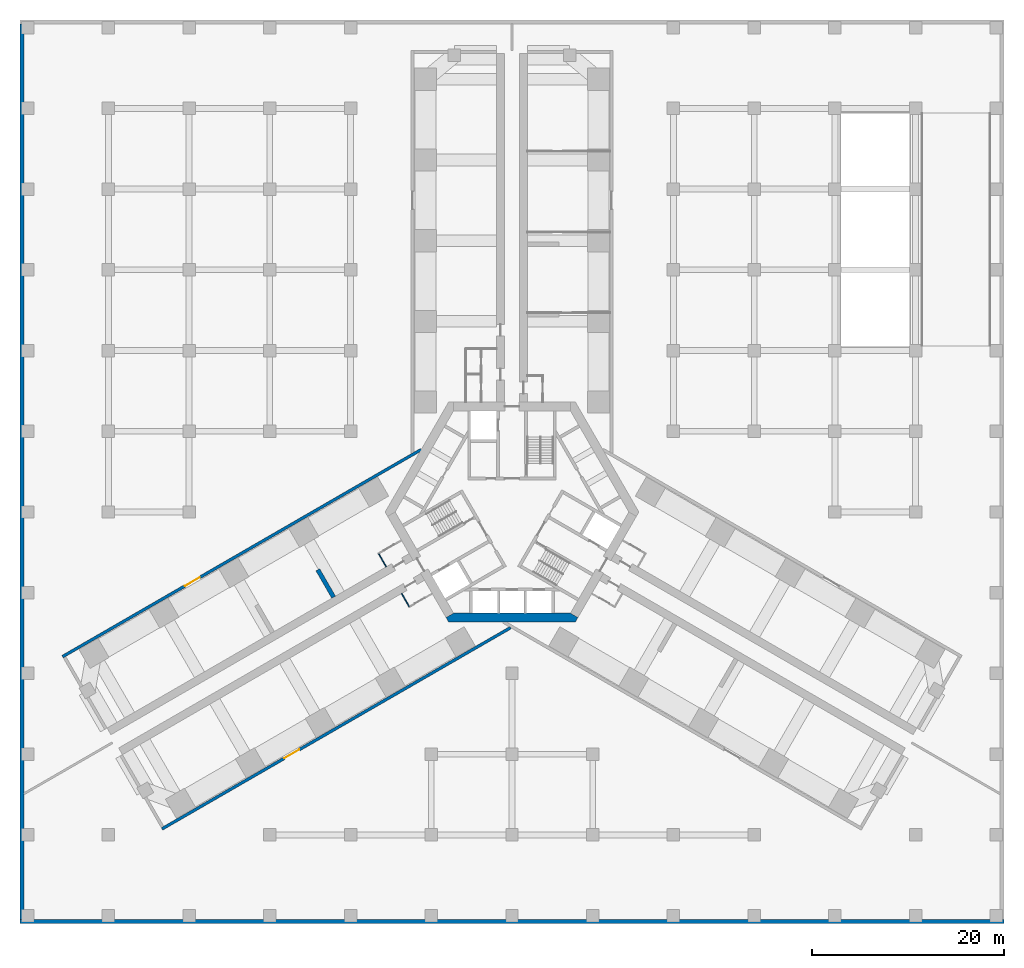
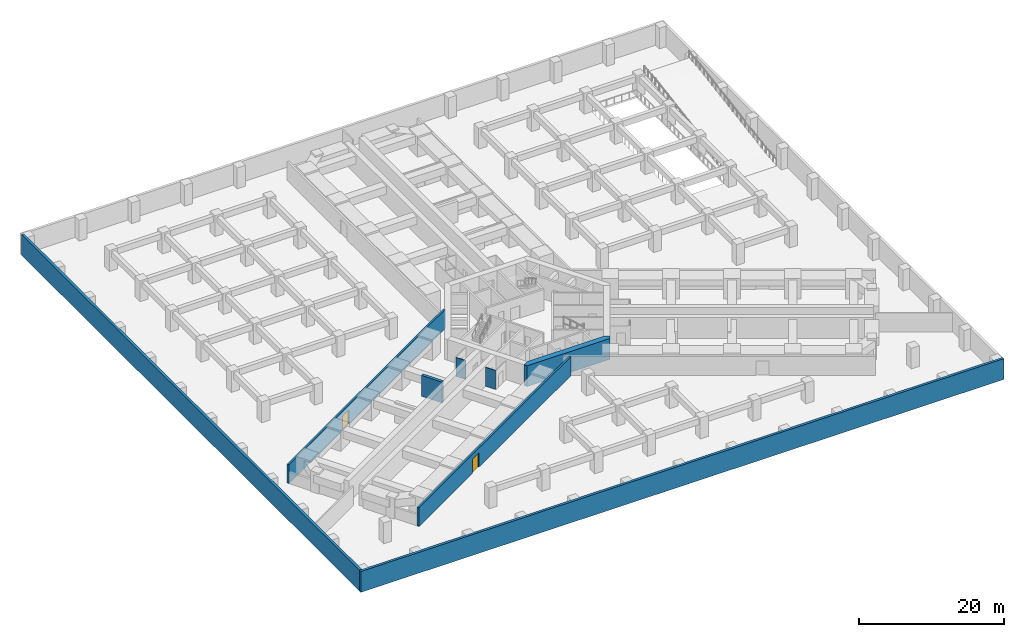
# One storey, part 5 of 11: 8 walls, 2 doors, 2 openings.
"""IFC4 building model written with IfcOpenShell, lengths in metres."""

from ifc_helpers import new_model, si_unit, direction, frame, frame_2d, origin, place, context, subcontext, project, spatial, polyline, rectangle, outline, extrude, material, layer, layer_set, type_object, element, fill, save


model = new_model("IFC4")

# Units and contexts
model_context = context("Model", 3, precision=1e-05, world=origin(), true_north=direction((0.0, 1.0)))
body_context = subcontext(model_context, "Body", "Model", "MODEL_VIEW")
ifc_project = project(units=[si_unit("LENGTHUNIT", "METRE"), si_unit("AREAUNIT", "SQUARE_METRE"), si_unit("VOLUMEUNIT", "CUBIC_METRE"), si_unit("PLANEANGLEUNIT", "RADIAN"), si_unit("MASSUNIT", "GRAM", prefix="KILO")], contexts=[model_context])

# Site, building, storey
site_placement = place(None, origin())
site = spatial("IfcSite", under=ifc_project, at=site_placement, CompositionType="ELEMENT")
building_placement = place(site_placement, origin())
building = spatial("IfcBuilding", under=site, at=building_placement, Name="Impinga Residences", CompositionType="ELEMENT")
storey_placement = place(building_placement, frame((0.0, 0.0, -7.0)))
storey = spatial("IfcBuildingStorey", under=building, at=storey_placement, Name="B2", CompositionType="ELEMENT", Elevation=-7.0)

# Walls
ifc_material_1 = material(Name="Concrete blockwork", Category="masonry")
ifc_layer_1 = layer(ifc_material_1, 0.10009765625)
ifc_layer_set_1 = layer_set([ifc_layer_1], Name="CP1 core room partition, blockwork 100")
wall_type_1 = type_object("IfcWallType", Name="CP1 core room partition, blockwork 100", PredefinedType="PARTITIONING", material=ifc_layer_set_1)
wall_1_placement = place(storey_placement, frame((-11.481689453125, -8.476318359375, 0.0), z_axis=(0.0, 0.0, 1.0), x_axis=(0.500017819788, -0.86601511528, 0.0)))
element("IfcWall", 1, at=wall_1_placement, inside=storey, type_object=wall_type_1, Name="Core room partition, blockwork B2-WA1:L2", PredefinedType="PARTITIONING", context=body_context, shape_type="SweptSolid", body=[
    extrude(rectangle(XDim=1.55029296875, YDim=0.10009765625, at=frame_2d((0.775146484375, 0.0))), origin(), (0.0, 0.0, 1.0), 3.199951171875),
])
wall_2_placement = place(storey_placement, frame((-13.08154296875, -5.705078125, 0.0), z_axis=(0.0, 0.0, 1.0), x_axis=(-0.500086022567, 0.865975732936, 0.0)))
element("IfcWall", 2, at=wall_2_placement, inside=storey, type_object=wall_type_1, Name="Core room partition, blockwork B2-WF1:L2", PredefinedType="PARTITIONING", context=body_context, shape_type="SweptSolid", body=[
    extrude(rectangle(XDim=1.550048828125, YDim=0.10009765625, at=frame_2d((0.77490234375, 0.0))), origin(), (0.0, 0.0, 1.0), 3.199951171875),
])

# Wall, opening, door
ifc_layer_2 = layer(ifc_material_1, 0.300048828125)
ifc_layer_set_2 = layer_set([ifc_layer_2], Name="PW3 podium wall on the wing face 300")
wall_type_2 = type_object("IfcWallType", Name="PW3 podium wall on the wing face 300", PredefinedType="SOLIDWALL", material=ifc_layer_set_2)
wall_3_placement = place(storey_placement, frame((-0.14990234375, -12.037841796875, 0.0), z_axis=(0.0, 0.0, 1.0), x_axis=(-0.866026292622, -0.499998460486, 0.0)))
wall_3 = element("IfcWall", 3, at=wall_3_placement, inside=storey, type_object=wall_type_2, Name="Podium wall on the wing face B2:SIDE:WA0", PredefinedType="SOLIDWALL", context=body_context, shape_type="SweptSolid", body=[
    extrude(rectangle(XDim=41.883056640625, YDim=0.300048828125, at=frame_2d((20.94140625, 0.0))), origin(), (0.0, 0.0, 1.0), 3.199951171875),
])
opening_1_placement = place(wall_3_placement, frame((25.3828125, 0.0, 0.0)))
opening_1 = element("IfcOpeningElement", 4, at=opening_1_placement, cuts=wall_3, Name="Opening D7", PredefinedType="OPENING", context=body_context, shape_type="SweptSolid", body=[
    extrude(rectangle(XDim=1.800048828125, YDim=2.39990234375, at=frame_2d((0.89990234375, 1.199951171875))), frame((0.0, 0.159912109375, 0.0), z_axis=(0.0, -1.0, 0.0), x_axis=(1.0, 0.0, 0.0)), (0.0, 0.0, 1.0), 0.320068359375),
])
ifc_material_2 = material(Name="Timber door set", Category="wood")
door_type = type_object("IfcDoorType", Name="D7 podium door pair 1800x2400", OperationType="DOUBLE_DOOR_DOUBLE_SWING", PredefinedType="DOOR", material=ifc_material_2)
door_1_placement = place(opening_1_placement, origin())
door_1 = element("IfcDoor", 5, at=door_1_placement, inside=storey, type_object=door_type, Name="Double door WA", OperationType="DOUBLE_DOOR_DOUBLE_SWING", OverallHeight=2.39990234375, OverallWidth=1.800048828125, PredefinedType="DOOR", context=body_context, shape_type="SweptSolid", body=[
    extrude(rectangle(XDim=1.800048828125, YDim=2.39990234375, at=frame_2d((0.89990234375, 1.199951171875))), frame((0.0, 0.02490234375, 0.0), z_axis=(0.0, -1.0, 0.0), x_axis=(1.0, 0.0, 0.0)), (0.0, 0.0, 1.0), 0.050048828125),
])
fill(opening_1, door_1)

wall_4_placement = place(storey_placement, frame((-9.449951171875, 6.4951171875, 0.0), z_axis=(0.0, 0.0, 1.0), x_axis=(-0.866025301493, -0.500000177174, 0.0)))
wall_4 = element("IfcWall", 6, at=wall_4_placement, inside=storey, type_object=wall_type_2, Name="Podium wall on the wing face B2:SIDE:WF0", PredefinedType="SOLIDWALL", context=body_context, shape_type="SweptSolid", body=[
    extrude(rectangle(XDim=43.09521484375, YDim=0.300048828125, at=frame_2d((21.547607421875, 0.0))), origin(), (0.0, 0.0, 1.0), 3.199951171875),
])
opening_2_placement = place(wall_4_placement, frame((26.59521484375, 0.0, 0.0)))
opening_2 = element("IfcOpeningElement", 7, at=opening_2_placement, cuts=wall_4, Name="Opening D7", PredefinedType="OPENING", context=body_context, shape_type="SweptSolid", body=[
    extrude(rectangle(XDim=1.800048828125, YDim=2.39990234375, at=frame_2d((0.89990234375, 1.199951171875))), frame((0.0, 0.159912109375, 0.0), z_axis=(0.0, -1.0, 0.0), x_axis=(1.0, 0.0, 0.0)), (0.0, 0.0, 1.0), 0.320068359375),
])
door_2_placement = place(opening_2_placement, origin())
door_2 = element("IfcDoor", 8, at=door_2_placement, inside=storey, type_object=door_type, Name="Double door WF", OperationType="DOUBLE_DOOR_DOUBLE_SWING", OverallHeight=2.39990234375, OverallWidth=1.800048828125, PredefinedType="DOOR", context=body_context, shape_type="SweptSolid", body=[
    extrude(rectangle(XDim=1.800048828125, YDim=2.39990234375, at=frame_2d((0.89990234375, 1.199951171875))), frame((0.0, 0.02490234375, 0.0), z_axis=(0.0, -1.0, 0.0), x_axis=(1.0, 0.0, 0.0)), (0.0, 0.0, 1.0), 0.050048828125),
])
fill(opening_2, door_2)

# Walls
ifc_material_3 = material(Name="Concrete C60/75", Category="concrete")
ifc_layer_3 = layer(ifc_material_3, 0.39990234375)
ifc_layer_set_3 = layer_set([ifc_layer_3], Name="Concrete C60/75")
wall_type_3 = type_object("IfcWallType", Name="RW1 basement retaining wall 400", PredefinedType="USERDEFINED", material=ifc_layer_set_3)
wall_5_placement = place(storey_placement, frame((-51.199951171875, -42.60009765625, 0.0), z_axis=(0.0, 0.0, 1.0), x_axis=(1.0, 0.0, 0.0)))
element("IfcWall", 9, at=wall_5_placement, inside=storey, type_object=wall_type_3, Name="Retaining wall RW1 S B2", ObjectType="RETAINING WALL", PredefinedType="USERDEFINED", context=body_context, shape_type="SweptSolid", body=[
    extrude(rectangle(XDim=102.39990234375, YDim=0.39990234375, at=frame_2d((51.199951171875, 0.0))), origin(), (0.0, 0.0, 1.0), 3.5),
])
wall_6_placement = place(storey_placement, frame((-51.0, -42.39990234375, 0.0), z_axis=(0.0, 0.0, 1.0), x_axis=(0.0, 1.0, 0.0)))
element("IfcWall", 10, at=wall_6_placement, inside=storey, type_object=wall_type_3, Name="Retaining wall RW1 W B2", ObjectType="RETAINING WALL", PredefinedType="USERDEFINED", context=body_context, shape_type="SweptSolid", body=[
    extrude(rectangle(XDim=93.199951171875, YDim=0.39990234375, at=frame_2d((46.60009765625, 0.0))), origin(), (0.0, 0.0, 1.0), 3.5),
])
ifc_layer_4 = layer(ifc_material_3, 0.449951171875)
ifc_layer_set_4 = layer_set([ifc_layer_4], Name="Concrete C60/75")
wall_type_4 = type_object("IfcWallType", Name="SE3 wing stair end wall carried down to the raft, basements 450", PredefinedType="SOLIDWALL", material=ifc_layer_set_4)
wall_7_placement = place(storey_placement, frame((-18.55908203125, -8.86767578125, 0.0), z_axis=(0.0, 0.0, 1.0), x_axis=(-0.50002983664, 0.866008176907, 0.0)))
element("IfcWall", 11, at=wall_7_placement, inside=storey, type_object=wall_type_4, Name="Stair enclosure wall SE3 W END0 B2", PredefinedType="SOLIDWALL", context=body_context, shape_type="SweptSolid", body=[
    extrude(rectangle(XDim=3.300048828125, YDim=0.449951171875, at=frame_2d((1.64990234375, 0.0))), origin(), (0.0, 0.0, 1.0), 3.5),
])
ifc_material_4 = material(Name="Concrete C70/85", Category="concrete")
ifc_layer_5 = layer(ifc_material_4, 0.89990234375)
ifc_layer_set_5 = layer_set([ifc_layer_5], Name="Concrete C70/85")
wall_type_5 = type_object("IfcWallType", Name="SW1 core wall 900", PredefinedType="SHEAR", material=ifc_layer_set_5)
wall_8_placement = place(storey_placement, origin())
element("IfcWall", 12, at=wall_8_placement, inside=storey, type_object=wall_type_5, Name="Core wall SW1 N:EXPOSED B2", PredefinedType="SHEAR", context=body_context, shape_type="SweptSolid", body=[
    extrude(outline(polyline([(-6.60009765625, -11.431640625), (6.60009765625, -11.431640625), (6.85986328125, -10.9814453125), (6.080322265625, -10.531494140625), (-6.080322265625, -10.531494140625), (-6.85986328125, -10.9814453125), (-6.60009765625, -11.431640625)])), origin(), (0.0, 0.0, 1.0), 3.5),
])

save(model, "model.ifc")
